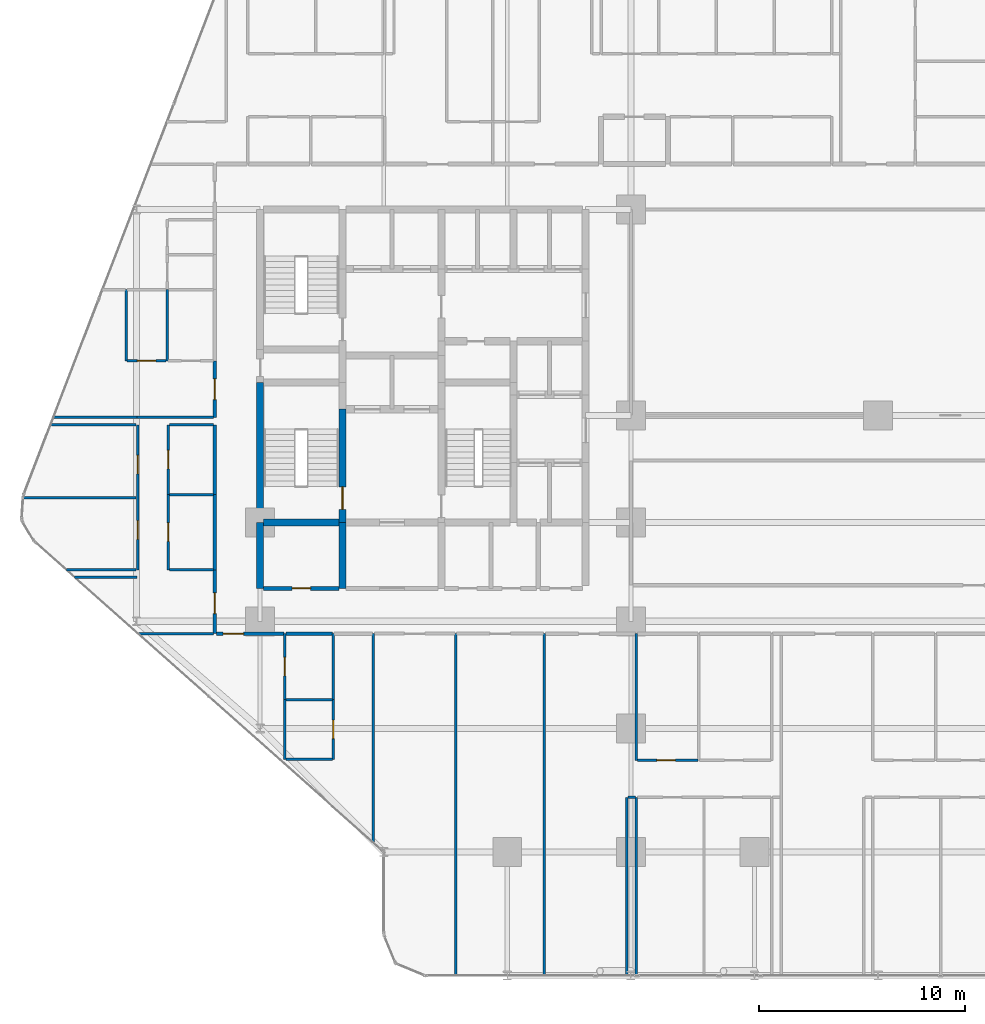
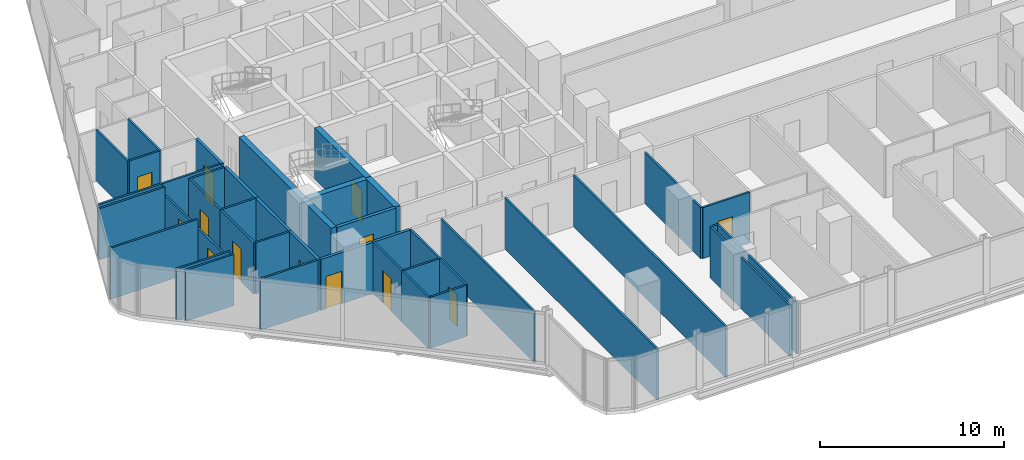
# One storey, part 26 of 33: 42 walls, 13 doors, 13 openings.
"""IFC4 building model written with IfcOpenShell, lengths in metres."""

from ifc_helpers import new_model, si_unit, direction, frame, frame_2d, origin, place, context, subcontext, project, spatial, rectangle, extrude, material, layer, layer_set, type_object, element, fill, save


model = new_model("IFC4")

# Units and contexts
model_context = context("Model", 3, precision=1e-05, world=origin(), true_north=direction((0.0, 1.0)))
body_context = subcontext(model_context, "Body", "Model", "MODEL_VIEW")
ifc_project = project(units=[si_unit("LENGTHUNIT", "METRE"), si_unit("AREAUNIT", "SQUARE_METRE"), si_unit("VOLUMEUNIT", "CUBIC_METRE"), si_unit("PLANEANGLEUNIT", "RADIAN"), si_unit("MASSUNIT", "GRAM", prefix="KILO")], contexts=[model_context])

# Site, building, storey
site_placement = place(None, origin())
site = spatial("IfcSite", under=ifc_project, at=site_placement, CompositionType="ELEMENT")
building_placement = place(site_placement, origin())
building = spatial("IfcBuilding", under=site, at=building_placement, Name="Keshet Zoharim Tower", CompositionType="ELEMENT")
storey_placement = place(building_placement, frame((0.0, 0.0, 49.89990234375)))
storey = spatial("IfcBuildingStorey", under=building, at=storey_placement, Name="L11", CompositionType="ELEMENT", Elevation=49.89990234375)

# Walls
ifc_material_1 = material(Name="Concrete C60/75", Category="concrete")
ifc_layer_1 = layer(ifc_material_1, 0.35009765625)
ifc_layer_set_1 = layer_set([ifc_layer_1], Name="Concrete C60/75")
wall_type_1 = type_object("IfcWallType", Name="WL-CORE-350", PredefinedType="SHEAR", material=ifc_layer_set_1)
wall_1_placement = place(storey_placement, frame((15.0, 19.5, 0.0), z_axis=(0.0, 0.0, 1.0), x_axis=(0.0, 1.0, 0.0)))
element("IfcWall", 1, at=wall_1_placement, inside=storey, type_object=wall_type_1, Name="L11 Core Shear Wall 019", PredefinedType="SHEAR", context=body_context, shape_type="SweptSolid", body=[
    extrude(rectangle(XDim=3.199951171875, YDim=0.35009765625, at=frame_2d((1.60009765625, 0.0))), origin(), (0.0, 0.0, 1.0), 3.385009765625),
])
wall_2_placement = place(storey_placement, frame((15.0, 22.699951171875, 0.0), z_axis=(0.0, 0.0, 1.0), x_axis=(0.0, 1.0, 0.0)))
element("IfcWall", 2, at=wall_2_placement, inside=storey, type_object=wall_type_1, Name="L11 Core Shear Wall 020", PredefinedType="SHEAR", context=body_context, shape_type="SweptSolid", body=[
    extrude(rectangle(XDim=6.800048828125, YDim=0.35009765625, at=frame_2d((3.39990234375, 0.0))), origin(), (0.0, 0.0, 1.0), 3.385009765625),
])
wall_3_placement = place(storey_placement, frame((19.0, 19.5, 0.0), z_axis=(0.0, 0.0, 1.0), x_axis=(0.0, 1.0, 0.0)))
element("IfcWall", 3, at=wall_3_placement, inside=storey, type_object=wall_type_1, Name="L11 Core Shear Wall 029", PredefinedType="SHEAR", context=body_context, shape_type="SweptSolid", body=[
    extrude(rectangle(XDim=3.199951171875, YDim=0.35009765625, at=frame_2d((1.60009765625, 0.0))), origin(), (0.0, 0.0, 1.0), 3.385009765625),
])

# Wall, opening, door
wall_4_placement = place(storey_placement, frame((19.0, 22.699951171875, 0.0), z_axis=(0.0, 0.0, 1.0), x_axis=(0.0, 1.0, 0.0)))
wall_4 = element("IfcWall", 4, at=wall_4_placement, inside=storey, type_object=wall_type_1, Name="L11 Core Shear Wall 030", PredefinedType="SHEAR", context=body_context, shape_type="SweptSolid", body=[
    extrude(rectangle(XDim=5.5, YDim=0.35009765625, at=frame_2d((2.75, 0.0))), origin(), (0.0, 0.0, 1.0), 3.385009765625),
])
opening_1_placement = place(wall_4_placement, frame((0.631103515625, 0.0, 0.0)))
opening_1 = element("IfcOpeningElement", 5, at=opening_1_placement, cuts=wall_4, Name="Opening D-F611", PredefinedType="OPENING", context=body_context, shape_type="SweptSolid", body=[
    extrude(rectangle(XDim=1.10009765625, YDim=2.14990234375, at=frame_2d((0.550048828125, 1.074951171875))), frame((0.0, 0.18505859375, 0.0), z_axis=(0.0, -1.0, 0.0), x_axis=(1.0, 0.0, 0.0)), (0.0, 0.0, 1.0), 0.3701171875),
])
ifc_material_2 = material(Name="Hardwood Timber", Category="wood")
door_type_1 = type_object("IfcDoorType", Name="DR-FD60-110", OperationType="NOTDEFINED", PredefinedType="DOOR", material=ifc_material_2)
door_1_placement = place(opening_1_placement, origin())
door_1 = element("IfcDoor", 6, at=door_1_placement, inside=storey, type_object=door_type_1, Name="L11 Exit Stair ST-01 Fire Door", OperationType="SINGLE_SWING_LEFT", OverallHeight=2.14990234375, OverallWidth=1.10009765625, PredefinedType="DOOR", context=body_context, shape_type="SweptSolid", body=[
    extrude(rectangle(XDim=1.10009765625, YDim=2.14990234375, at=frame_2d((0.550048828125, 1.074951171875))), frame((0.0, 0.02490234375, 0.0), z_axis=(0.0, -1.0, 0.0), x_axis=(1.0, 0.0, 0.0)), (0.0, 0.0, 1.0), 0.050048828125),
])
fill(opening_1, door_1)

# Wall
wall_5_placement = place(storey_placement, frame((15.159912109375, 22.699951171875, 0.0), z_axis=(0.0, 0.0, 1.0), x_axis=(1.0, 0.0, 0.0)))
element("IfcWall", 7, at=wall_5_placement, inside=storey, type_object=wall_type_1, Name="L11 Core Shear Wall 162", PredefinedType="SHEAR", context=body_context, shape_type="SweptSolid", body=[
    extrude(rectangle(XDim=3.68017578125, YDim=0.35009765625, at=frame_2d((1.840087890625, 0.0))), origin(), (0.0, 0.0, 1.0), 3.385009765625),
])

# Wall, opening, door
ifc_material_3 = material(Name="Gypsum Plasterboard", Category="gypsum")
ifc_layer_2 = layer(ifc_material_3, 0.179931640625)
ifc_layer_set_2 = layer_set([ifc_layer_2], Name="Gypsum Plasterboard")
wall_type_2 = type_object("IfcWallType", Name="WL-CORR-180", PredefinedType="STANDARD", material=ifc_layer_set_2)
wall_6_placement = place(storey_placement, frame((12.800048828125, 17.300048828125, 0.0), z_axis=(0.0, 0.0, 1.0), x_axis=(0.0, 1.0, 0.0)))
wall_6 = element("IfcWall", 8, at=wall_6_placement, inside=storey, type_object=wall_type_2, Name="L11 Interior Wall 008", PredefinedType="STANDARD", context=body_context, shape_type="SweptSolid", body=[
    extrude(rectangle(XDim=3.099853515625, YDim=0.179931640625, at=frame_2d((1.5498046875, 0.0))), origin(), (0.0, 0.0, 1.0), 3.385009765625),
])
opening_2_placement = place(wall_6_placement, frame((0.97802734375, 0.0, 0.0)))
opening_2 = element("IfcOpeningElement", 9, at=opening_2_placement, cuts=wall_6, Name="Opening D-F310", PredefinedType="OPENING", context=body_context, shape_type="SweptSolid", body=[
    extrude(rectangle(XDim=1.0, YDim=2.14990234375, at=frame_2d((0.5, 1.074951171875))), frame((0.0, 0.10009765625, 0.0), z_axis=(0.0, -1.0, 0.0), x_axis=(1.0, 0.0, 0.0)), (0.0, 0.0, 1.0), 0.199951171875),
])
door_type_2 = type_object("IfcDoorType", Name="DR-FD30-100", OperationType="NOTDEFINED", PredefinedType="DOOR", material=ifc_material_2)
door_2_placement = place(opening_2_placement, origin())
door_2 = element("IfcDoor", 10, at=door_2_placement, inside=storey, type_object=door_type_2, Name="Apartment 1110 Entrance Door", OperationType="SINGLE_SWING_LEFT", OverallHeight=2.14990234375, OverallWidth=1.0, PredefinedType="DOOR", context=body_context, shape_type="SweptSolid", body=[
    extrude(rectangle(XDim=1.0, YDim=2.14990234375, at=frame_2d((0.5, 1.074951171875))), frame((0.0, 0.02490234375, 0.0), z_axis=(0.0, -1.0, 0.0), x_axis=(1.0, 0.0, 0.0)), (0.0, 0.0, 1.0), 0.050048828125),
])
fill(opening_2, door_2)

# Walls
wall_7_placement = place(storey_placement, frame((12.800048828125, 20.39990234375, 0.0), z_axis=(0.0, 0.0, 1.0), x_axis=(0.0, 1.0, 0.0)))
element("IfcWall", 11, at=wall_7_placement, inside=storey, type_object=wall_type_2, Name="L11 Interior Wall 009", PredefinedType="STANDARD", context=body_context, shape_type="SweptSolid", body=[
    extrude(rectangle(XDim=3.6611328125, YDim=0.179931640625, at=frame_2d((1.83056640625, 0.0))), origin(), (0.0, 0.0, 1.0), 3.385009765625),
])
wall_8_placement = place(storey_placement, frame((12.800048828125, 24.06103515625, 0.0), z_axis=(0.0, 0.0, 1.0), x_axis=(0.0, 1.0, 0.0)))
element("IfcWall", 12, at=wall_8_placement, inside=storey, type_object=wall_type_2, Name="L11 Interior Wall 010", PredefinedType="STANDARD", context=body_context, shape_type="SweptSolid", body=[
    extrude(rectangle(XDim=3.37890625, YDim=0.179931640625, at=frame_2d((1.689453125, 0.0))), origin(), (0.0, 0.0, 1.0), 3.385009765625),
])

# Wall, opening, door
wall_9_placement = place(storey_placement, frame((12.800048828125, 27.7900390625, 0.0), z_axis=(0.0, 0.0, 1.0), x_axis=(0.0, 1.0, 0.0)))
wall_9 = element("IfcWall", 13, at=wall_9_placement, inside=storey, type_object=wall_type_2, Name="L11 Interior Wall 011", PredefinedType="STANDARD", context=body_context, shape_type="SweptSolid", body=[
    extrude(rectangle(XDim=2.75, YDim=0.179931640625, at=frame_2d((1.375, 0.0))), origin(), (0.0, 0.0, 1.0), 3.385009765625),
])
opening_3_placement = place(wall_9_placement, frame((0.875, 0.0, 0.0)))
opening_3 = element("IfcOpeningElement", 14, at=opening_3_placement, cuts=wall_9, Name="Opening D-F310", PredefinedType="OPENING", context=body_context, shape_type="SweptSolid", body=[
    extrude(rectangle(XDim=1.0, YDim=2.14990234375, at=frame_2d((0.5, 1.074951171875))), frame((0.0, 0.10009765625, 0.0), z_axis=(0.0, -1.0, 0.0), x_axis=(1.0, 0.0, 0.0)), (0.0, 0.0, 1.0), 0.199951171875),
])
door_3_placement = place(opening_3_placement, origin())
door_3 = element("IfcDoor", 15, at=door_3_placement, inside=storey, type_object=door_type_2, Name="Apartment 1111 Entrance Door", OperationType="SINGLE_SWING_RIGHT", OverallHeight=2.14990234375, OverallWidth=1.0, PredefinedType="DOOR", context=body_context, shape_type="SweptSolid", body=[
    extrude(rectangle(XDim=1.0, YDim=2.14990234375, at=frame_2d((0.5, 1.074951171875))), frame((0.0, 0.02490234375, 0.0), z_axis=(0.0, -1.0, 0.0), x_axis=(1.0, 0.0, 0.0)), (0.0, 0.0, 1.0), 0.050048828125),
])
fill(opening_3, door_3)

wall_10_placement = place(storey_placement, frame((12.875, 17.300048828125, 0.0), z_axis=(0.0, 0.0, 1.0), x_axis=(1.0, 0.0, 0.0)))
wall_10 = element("IfcWall", 16, at=wall_10_placement, inside=storey, type_object=wall_type_2, Name="L11 Interior Wall 138", PredefinedType="STANDARD", context=body_context, shape_type="SweptSolid", body=[
    extrude(rectangle(XDim=3.280029296875, YDim=0.179931640625, at=frame_2d((1.64013671875, 0.0))), origin(), (0.0, 0.0, 1.0), 3.385009765625),
])
opening_4_placement = place(wall_10_placement, frame((0.325927734375, 0.0, 0.0)))
opening_4 = element("IfcOpeningElement", 17, at=opening_4_placement, cuts=wall_10, Name="Opening D-F310", PredefinedType="OPENING", context=body_context, shape_type="SweptSolid", body=[
    extrude(rectangle(XDim=1.0, YDim=2.14990234375, at=frame_2d((0.5, 1.074951171875))), frame((0.0, 0.10009765625, 0.0), z_axis=(0.0, -1.0, 0.0), x_axis=(1.0, 0.0, 0.0)), (0.0, 0.0, 1.0), 0.199951171875),
])
door_4_placement = place(opening_4_placement, origin())
door_4 = element("IfcDoor", 18, at=door_4_placement, inside=storey, type_object=door_type_2, Name="Apartment 1101 Entrance Door", OperationType="SINGLE_SWING_LEFT", OverallHeight=2.14990234375, OverallWidth=1.0, PredefinedType="DOOR", context=body_context, shape_type="SweptSolid", body=[
    extrude(rectangle(XDim=1.0, YDim=2.14990234375, at=frame_2d((0.5, 1.074951171875))), frame((0.0, 0.02490234375, 0.0), z_axis=(0.0, -1.0, 0.0), x_axis=(1.0, 0.0, 0.0)), (0.0, 0.0, 1.0), 0.050048828125),
])
fill(opening_4, door_4)

# Wall
wall_11_placement = place(storey_placement, frame((16.2451171875, 17.300048828125, 0.0), z_axis=(0.0, 0.0, 1.0), x_axis=(1.0, 0.0, 0.0)))
element("IfcWall", 19, at=wall_11_placement, inside=storey, type_object=wall_type_2, Name="L11 Interior Wall 139", PredefinedType="STANDARD", context=body_context, shape_type="SweptSolid", body=[
    extrude(rectangle(XDim=2.259765625, YDim=0.179931640625, at=frame_2d((1.1298828125, 0.0))), origin(), (0.0, 0.0, 1.0), 3.385009765625),
])

# Wall, opening, door
ifc_material_4 = material(Name="Concrete C50/60", Category="concrete")
ifc_layer_3 = layer(ifc_material_4, 0.199951171875)
ifc_layer_set_3 = layer_set([ifc_layer_3], Name="Concrete C50/60")
wall_type_3 = type_object("IfcWallType", Name="WL-FIRE-200", PredefinedType="STANDARD", material=ifc_layer_set_3)
wall_12_placement = place(storey_placement, frame((15.159912109375, 19.5, 0.0), z_axis=(0.0, 0.0, 1.0), x_axis=(1.0, 0.0, 0.0)))
wall_12 = element("IfcWall", 20, at=wall_12_placement, inside=storey, type_object=wall_type_3, Name="L11 Interior Wall 154", PredefinedType="STANDARD", context=body_context, shape_type="SweptSolid", body=[
    extrude(rectangle(XDim=3.68017578125, YDim=0.199951171875, at=frame_2d((1.840087890625, 0.0))), origin(), (0.0, 0.0, 1.0), 3.385009765625),
])
opening_5_placement = place(wall_12_placement, frame((1.389892578125, 0.0, 0.0)))
opening_5 = element("IfcOpeningElement", 21, at=opening_5_placement, cuts=wall_12, Name="Opening D-F690", PredefinedType="OPENING", context=body_context, shape_type="SweptSolid", body=[
    extrude(rectangle(XDim=0.89990234375, YDim=2.14990234375, at=frame_2d((0.449951171875, 1.074951171875))), frame((0.0, 0.10986328125, 0.0), z_axis=(0.0, -1.0, 0.0), x_axis=(1.0, 0.0, 0.0)), (0.0, 0.0, 1.0), 0.219970703125),
])
door_type_3 = type_object("IfcDoorType", Name="DR-FD60-090", OperationType="NOTDEFINED", PredefinedType="DOOR", material=ifc_material_2)
door_5_placement = place(opening_5_placement, origin())
door_5 = element("IfcDoor", 22, at=door_5_placement, inside=storey, type_object=door_type_3, Name="L11 Pram Store Door", OperationType="SINGLE_SWING_RIGHT", OverallHeight=2.14990234375, OverallWidth=0.89990234375, PredefinedType="DOOR", context=body_context, shape_type="SweptSolid", body=[
    extrude(rectangle(XDim=0.89990234375, YDim=2.14990234375, at=frame_2d((0.449951171875, 1.074951171875))), frame((0.0, 0.02490234375, 0.0), z_axis=(0.0, -1.0, 0.0), x_axis=(1.0, 0.0, 0.0)), (0.0, 0.0, 1.0), 0.050048828125),
])
fill(opening_5, door_5)

# Wall
ifc_layer_4 = layer(ifc_material_3, 0.1201171875)
ifc_layer_set_4 = layer_set([ifc_layer_4], Name="Gypsum Plasterboard")
wall_type_4 = type_object("IfcWallType", Name="WL-PART-120", PredefinedType="PARTITIONING", material=ifc_layer_set_4)
wall_13_placement = place(storey_placement, frame((8.5, 30.5400390625, 0.0), z_axis=(0.0, 0.0, 1.0), x_axis=(0.0, 1.0, 0.0)))
element("IfcWall", 23, at=wall_13_placement, inside=storey, type_object=wall_type_4, Name="L11 Interior Wall 001", PredefinedType="PARTITIONING", context=body_context, shape_type="SweptSolid", body=[
    extrude(rectangle(XDim=3.4599609375, YDim=0.1201171875, at=frame_2d((1.72998046875, 0.0))), origin(), (0.0, 0.0, 1.0), 3.385009765625),
])

# Wall, openings, doors
wall_14_placement = place(storey_placement, frame((9.050048828125, 20.39990234375, 0.0), z_axis=(0.0, 0.0, 1.0), x_axis=(0.0, 1.0, 0.0)))
wall_14 = element("IfcWall", 24, at=wall_14_placement, inside=storey, type_object=wall_type_4, Name="L11 Interior Wall 002", PredefinedType="PARTITIONING", context=body_context, shape_type="SweptSolid", body=[
    extrude(rectangle(XDim=7.0400390625, YDim=0.1201171875, at=frame_2d((3.52001953125, 0.0))), origin(), (0.0, 0.0, 1.0), 2.78515625),
])
opening_6_placement = place(wall_14_placement, frame((1.485107421875, 0.0, 0.0)))
opening_6 = element("IfcOpeningElement", 25, at=opening_6_placement, cuts=wall_14, Name="Opening D-IN90", PredefinedType="OPENING", context=body_context, shape_type="SweptSolid", body=[
    extrude(rectangle(XDim=0.89990234375, YDim=2.14990234375, at=frame_2d((0.449951171875, 1.074951171875))), frame((0.0, 0.070068359375, 0.0), z_axis=(0.0, -1.0, 0.0), x_axis=(1.0, 0.0, 0.0)), (0.0, 0.0, 1.0), 0.14013671875),
])
opening_7_placement = place(wall_14_placement, frame((4.655029296875, 0.0, 0.0)))
opening_7 = element("IfcOpeningElement", 26, at=opening_7_placement, cuts=wall_14, Name="Opening D-IN90", PredefinedType="OPENING", context=body_context, shape_type="SweptSolid", body=[
    extrude(rectangle(XDim=0.89990234375, YDim=2.14990234375, at=frame_2d((0.449951171875, 1.074951171875))), frame((0.0, 0.070068359375, 0.0), z_axis=(0.0, -1.0, 0.0), x_axis=(1.0, 0.0, 0.0)), (0.0, 0.0, 1.0), 0.14013671875),
])
door_type_4 = type_object("IfcDoorType", Name="DR-INT-090", OperationType="NOTDEFINED", PredefinedType="DOOR", material=ifc_material_2)
door_6_placement = place(opening_6_placement, origin())
door_6 = element("IfcDoor", 27, at=door_6_placement, inside=storey, type_object=door_type_4, Name="Apartment 1110 Bedroom 1 Door", OperationType="SINGLE_SWING_LEFT", OverallHeight=2.14990234375, OverallWidth=0.89990234375, PredefinedType="DOOR", context=body_context, shape_type="SweptSolid", body=[
    extrude(rectangle(XDim=0.89990234375, YDim=2.14990234375, at=frame_2d((0.449951171875, 1.074951171875))), frame((0.0, 0.02490234375, 0.0), z_axis=(0.0, -1.0, 0.0), x_axis=(1.0, 0.0, 0.0)), (0.0, 0.0, 1.0), 0.050048828125),
])
fill(opening_6, door_6)
door_7_placement = place(opening_7_placement, origin())
door_7 = element("IfcDoor", 28, at=door_7_placement, inside=storey, type_object=door_type_4, Name="Apartment 1110 Bedroom 2 Door", OperationType="SINGLE_SWING_RIGHT", OverallHeight=2.14990234375, OverallWidth=0.89990234375, PredefinedType="DOOR", context=body_context, shape_type="SweptSolid", body=[
    extrude(rectangle(XDim=0.89990234375, YDim=2.14990234375, at=frame_2d((0.449951171875, 1.074951171875))), frame((0.0, 0.02490234375, 0.0), z_axis=(0.0, -1.0, 0.0), x_axis=(1.0, 0.0, 0.0)), (0.0, 0.0, 1.0), 0.050048828125),
])
fill(opening_7, door_7)

# Wall, opening, door
wall_15_placement = place(storey_placement, frame((10.550048828125, 20.39990234375, 0.0), z_axis=(0.0, 0.0, 1.0), x_axis=(0.0, 1.0, 0.0)))
wall_15 = element("IfcWall", 29, at=wall_15_placement, inside=storey, type_object=wall_type_4, Name="L11 Interior Wall 006", PredefinedType="PARTITIONING", context=body_context, shape_type="SweptSolid", body=[
    extrude(rectangle(XDim=3.6611328125, YDim=0.1201171875, at=frame_2d((1.83056640625, 0.0))), origin(), (0.0, 0.0, 1.0), 3.385009765625),
])
opening_8_placement = place(wall_15_placement, frame((1.3798828125, 0.0, 0.0)))
opening_8 = element("IfcOpeningElement", 30, at=opening_8_placement, cuts=wall_15, Name="Opening D-IN90", PredefinedType="OPENING", context=body_context, shape_type="SweptSolid", body=[
    extrude(rectangle(XDim=0.89990234375, YDim=2.14990234375, at=frame_2d((0.449951171875, 1.074951171875))), frame((0.0, 0.070068359375, 0.0), z_axis=(0.0, -1.0, 0.0), x_axis=(1.0, 0.0, 0.0)), (0.0, 0.0, 1.0), 0.14013671875),
])
door_8_placement = place(opening_8_placement, origin())
door_8 = element("IfcDoor", 31, at=door_8_placement, inside=storey, type_object=door_type_4, Name="Apartment 1110 Kitchen Door", OperationType="SINGLE_SWING_LEFT", OverallHeight=2.14990234375, OverallWidth=0.89990234375, PredefinedType="DOOR", context=body_context, shape_type="SweptSolid", body=[
    extrude(rectangle(XDim=0.89990234375, YDim=2.14990234375, at=frame_2d((0.449951171875, 1.074951171875))), frame((0.0, 0.02490234375, 0.0), z_axis=(0.0, -1.0, 0.0), x_axis=(1.0, 0.0, 0.0)), (0.0, 0.0, 1.0), 0.050048828125),
])
fill(opening_8, door_8)

wall_16_placement = place(storey_placement, frame((16.199951171875, 14.10009765625, 0.0), z_axis=(0.0, 0.0, 1.0), x_axis=(0.0, 1.0, 0.0)))
wall_16 = element("IfcWall", 32, at=wall_16_placement, inside=storey, type_object=wall_type_4, Name="L11 Interior Wall 024", PredefinedType="PARTITIONING", context=body_context, shape_type="SweptSolid", body=[
    extrude(rectangle(XDim=3.199951171875, YDim=0.1201171875, at=frame_2d((1.60009765625, 0.0))), origin(), (0.0, 0.0, 1.0), 3.385009765625),
])
opening_9_placement = place(wall_16_placement, frame((1.14990234375, 0.0, 0.0)))
opening_9 = element("IfcOpeningElement", 33, at=opening_9_placement, cuts=wall_16, Name="Opening D-IN90", PredefinedType="OPENING", context=body_context, shape_type="SweptSolid", body=[
    extrude(rectangle(XDim=0.89990234375, YDim=2.14990234375, at=frame_2d((0.449951171875, 1.074951171875))), frame((0.0, 0.070068359375, 0.0), z_axis=(0.0, -1.0, 0.0), x_axis=(1.0, 0.0, 0.0)), (0.0, 0.0, 1.0), 0.14013671875),
])
door_9_placement = place(opening_9_placement, origin())
door_9 = element("IfcDoor", 34, at=door_9_placement, inside=storey, type_object=door_type_4, Name="Apartment 1101 Kitchenette Door", OperationType="SINGLE_SWING_LEFT", OverallHeight=2.14990234375, OverallWidth=0.89990234375, PredefinedType="DOOR", context=body_context, shape_type="SweptSolid", body=[
    extrude(rectangle(XDim=0.89990234375, YDim=2.14990234375, at=frame_2d((0.449951171875, 1.074951171875))), frame((0.0, 0.02490234375, 0.0), z_axis=(0.0, -1.0, 0.0), x_axis=(1.0, 0.0, 0.0)), (0.0, 0.0, 1.0), 0.050048828125),
])
fill(opening_9, door_9)

# Walls
wall_17_placement = place(storey_placement, frame((18.550048828125, 14.10009765625, 0.0), z_axis=(0.0, 0.0, 1.0), x_axis=(0.0, 1.0, 0.0)))
element("IfcWall", 35, at=wall_17_placement, inside=storey, type_object=wall_type_4, Name="L11 Interior Wall 028", PredefinedType="PARTITIONING", context=body_context, shape_type="SweptSolid", body=[
    extrude(rectangle(XDim=3.199951171875, YDim=0.1201171875, at=frame_2d((1.60009765625, 0.0))), origin(), (0.0, 0.0, 1.0), 3.385009765625),
])
wall_18_placement = place(storey_placement, frame((20.5, 7.154052734375, 0.0), z_axis=(0.0, 0.0, 1.0), x_axis=(0.0, 1.0, 0.0)))
element("IfcWall", 36, at=wall_18_placement, inside=storey, type_object=wall_type_4, Name="L11 Interior Wall 034", PredefinedType="PARTITIONING", context=body_context, shape_type="SweptSolid", body=[
    extrude(rectangle(XDim=10.14599609375, YDim=0.1201171875, at=frame_2d((5.072998046875, 0.0))), origin(), (0.0, 0.0, 1.0), 3.385009765625),
])
for number, where, z_axis, x_axis, name in (
    (37, (24.5, 0.7099609375, 0.0), (0.0, 0.0, 1.0), (0.0, 1.0, 0.0), "L11 Interior Wall 048"),
    (38, (28.800048828125, 0.7099609375, 0.0), (0.0, 0.0, 1.0), (0.0, 1.0, 0.0), "L11 Interior Wall 060"),
):
    element("IfcWall", number, at=place(storey_placement, frame(where, z_axis=z_axis, x_axis=x_axis)), inside=storey, type_object=wall_type_4, Name=name, PredefinedType="PARTITIONING", context=body_context, shape_type="SweptSolid", body=[
        extrude(rectangle(XDim=16.590087890625, YDim=0.1201171875, at=frame_2d((8.294921875, 0.0))), origin(), (0.0, 0.0, 1.0), 3.385009765625),
    ])
for number, where, z_axis, x_axis, name in (
    (39, (32.800048828125, 0.7099609375, 0.0), (0.0, 0.0, 1.0), (0.0, 1.0, 0.0), "L11 Interior Wall 073"),
    (40, (33.25, 0.7099609375, 0.0), (0.0, 0.0, 1.0), (0.0, 1.0, 0.0), "L11 Interior Wall 076"),
):
    element("IfcWall", number, at=place(storey_placement, frame(where, z_axis=z_axis, x_axis=x_axis)), inside=storey, type_object=wall_type_4, Name=name, PredefinedType="PARTITIONING", context=body_context, shape_type="SweptSolid", body=[
        extrude(rectangle(XDim=8.64013671875, YDim=0.1201171875, at=frame_2d((4.320068359375, 0.0))), origin(), (0.0, 0.0, 1.0), 3.385009765625),
    ])
wall_19_placement = place(storey_placement, frame((33.25, 11.14990234375, 0.0), z_axis=(0.0, 0.0, 1.0), x_axis=(0.0, 1.0, 0.0)))
element("IfcWall", 41, at=wall_19_placement, inside=storey, type_object=wall_type_4, Name="L11 Interior Wall 077", PredefinedType="PARTITIONING", context=body_context, shape_type="SweptSolid", body=[
    extrude(rectangle(XDim=6.150146484375, YDim=0.1201171875, at=frame_2d((3.0751953125, 0.0))), origin(), (0.0, 0.0, 1.0), 3.385009765625),
])
wall_20_placement = place(storey_placement, frame((32.864990234375, 9.35009765625, 0.0), z_axis=(0.0, 0.0, 1.0), x_axis=(1.0, 0.0, 0.0)))
element("IfcWall", 42, at=wall_20_placement, inside=storey, type_object=wall_type_4, Name="L11 Interior Wall 121", PredefinedType="PARTITIONING", context=body_context, shape_type="SweptSolid", body=[
    extrude(rectangle(XDim=0.360107421875, YDim=0.1201171875, at=frame_2d((0.18017578125, 0.0))), origin(), (0.0, 0.0, 1.0), 3.385009765625),
])

# Wall, opening, door
wall_21_placement = place(storey_placement, frame((33.31494140625, 11.14990234375, 0.0), z_axis=(0.0, 0.0, 1.0), x_axis=(1.0, 0.0, 0.0)))
wall_21 = element("IfcWall", 43, at=wall_21_placement, inside=storey, type_object=wall_type_4, Name="L11 Interior Wall 127", PredefinedType="PARTITIONING", context=body_context, shape_type="SweptSolid", body=[
    extrude(rectangle(XDim=2.93212890625, YDim=0.1201171875, at=frame_2d((1.466064453125, 0.0))), origin(), (0.0, 0.0, 1.0), 3.385009765625),
])
opening_10_placement = place(wall_21_placement, frame((0.943115234375, 0.0, 0.0)))
opening_10 = element("IfcOpeningElement", 44, at=opening_10_placement, cuts=wall_21, Name="Opening D-IN90", PredefinedType="OPENING", context=body_context, shape_type="SweptSolid", body=[
    extrude(rectangle(XDim=0.89990234375, YDim=2.14990234375, at=frame_2d((0.449951171875, 1.074951171875))), frame((0.0, 0.070068359375, 0.0), z_axis=(0.0, -1.0, 0.0), x_axis=(1.0, 0.0, 0.0)), (0.0, 0.0, 1.0), 0.14013671875),
])
door_10_placement = place(opening_10_placement, origin())
door_10 = element("IfcDoor", 45, at=door_10_placement, inside=storey, type_object=door_type_4, Name="Apartment 1102 Kitchen Door", OperationType="SINGLE_SWING_LEFT", OverallHeight=2.14990234375, OverallWidth=0.89990234375, PredefinedType="DOOR", context=body_context, shape_type="SweptSolid", body=[
    extrude(rectangle(XDim=0.89990234375, YDim=2.14990234375, at=frame_2d((0.449951171875, 1.074951171875))), frame((0.0, 0.02490234375, 0.0), z_axis=(0.0, -1.0, 0.0), x_axis=(1.0, 0.0, 0.0)), (0.0, 0.0, 1.0), 0.050048828125),
])
fill(opening_10, door_10)

# Walls
wall_22_placement = place(storey_placement, frame((9.0849609375, 17.300048828125, 0.0), z_axis=(0.0, 0.0, 1.0), x_axis=(1.0, 0.0, 0.0)))
element("IfcWall", 46, at=wall_22_placement, inside=storey, type_object=wall_type_4, Name="L11 Interior Wall 137", PredefinedType="PARTITIONING", context=body_context, shape_type="SweptSolid", body=[
    extrude(rectangle(XDim=3.64013671875, YDim=0.1201171875, at=frame_2d((1.820068359375, 0.0))), origin(), (0.0, 0.0, 1.0), 3.385009765625),
])
wall_23_placement = place(storey_placement, frame((5.990966796875, 20.050048828125, 0.0), z_axis=(0.0, 0.0, 1.0), x_axis=(1.0, 0.0, 0.0)))
element("IfcWall", 47, at=wall_23_placement, inside=storey, type_object=wall_type_4, Name="L11 Interior Wall 159", PredefinedType="PARTITIONING", context=body_context, shape_type="SweptSolid", body=[
    extrude(rectangle(XDim=3.0390625, YDim=0.1201171875, at=frame_2d((1.51953125, 0.0))), origin(), (0.0, 0.0, 1.0), 3.385009765625),
])
wall_24_placement = place(storey_placement, frame((5.597900390625, 20.39990234375, 0.0), z_axis=(0.0, 0.0, 1.0), x_axis=(1.0, 0.0, 0.0)))
element("IfcWall", 48, at=wall_24_placement, inside=storey, type_object=wall_type_4, Name="L11 Interior Wall 160", PredefinedType="PARTITIONING", context=body_context, shape_type="SweptSolid", body=[
    extrude(rectangle(XDim=3.38720703125, YDim=0.1201171875, at=frame_2d((1.693603515625, 0.0))), origin(), (0.0, 0.0, 1.0), 3.385009765625),
])
wall_25_placement = place(storey_placement, frame((10.594970703125, 20.39990234375, 0.0), z_axis=(0.0, 0.0, 1.0), x_axis=(1.0, 0.0, 0.0)))
element("IfcWall", 49, at=wall_25_placement, inside=storey, type_object=wall_type_4, Name="L11 Interior Wall 161", PredefinedType="PARTITIONING", context=body_context, shape_type="SweptSolid", body=[
    extrude(rectangle(XDim=2.130126953125, YDim=0.1201171875, at=frame_2d((1.06494140625, 0.0))), origin(), (0.0, 0.0, 1.0), 3.385009765625),
])
wall_26_placement = place(storey_placement, frame((3.5009765625, 23.89990234375, 0.0), z_axis=(0.0, 0.0, 1.0), x_axis=(1.0, 0.0, 0.0)))
element("IfcWall", 50, at=wall_26_placement, inside=storey, type_object=wall_type_4, Name="L11 Interior Wall 167", PredefinedType="PARTITIONING", context=body_context, shape_type="SweptSolid", body=[
    extrude(rectangle(XDim=5.484130859375, YDim=0.1201171875, at=frame_2d((2.7421875, 0.0))), origin(), (0.0, 0.0, 1.0), 3.385009765625),
])
wall_27_placement = place(storey_placement, frame((4.8369140625, 27.449951171875, 0.0), z_axis=(0.0, 0.0, 1.0), x_axis=(1.0, 0.0, 0.0)))
element("IfcWall", 51, at=wall_27_placement, inside=storey, type_object=wall_type_4, Name="L11 Interior Wall 171", PredefinedType="PARTITIONING", context=body_context, shape_type="SweptSolid", body=[
    extrude(rectangle(XDim=4.148193359375, YDim=0.1201171875, at=frame_2d((2.07421875, 0.0))), origin(), (0.0, 0.0, 1.0), 3.385009765625),
])
wall_28_placement = place(storey_placement, frame((4.970947265625, 27.800048828125, 0.0), z_axis=(0.0, 0.0, 1.0), x_axis=(1.0, 0.0, 0.0)))
element("IfcWall", 52, at=wall_28_placement, inside=storey, type_object=wall_type_4, Name="L11 Interior Wall 173", PredefinedType="PARTITIONING", context=body_context, shape_type="SweptSolid", body=[
    extrude(rectangle(XDim=4.05908203125, YDim=0.1201171875, at=frame_2d((2.029541015625, 0.0))), origin(), (0.0, 0.0, 1.0), 3.385009765625),
])
wall_29_placement = place(storey_placement, frame((9.030029296875, 27.800048828125, 0.0), z_axis=(0.0, 0.0, 1.0), x_axis=(1.0, 0.0, 0.0)))
element("IfcWall", 53, at=wall_29_placement, inside=storey, type_object=wall_type_4, Name="L11 Interior Wall 174", PredefinedType="PARTITIONING", context=body_context, shape_type="SweptSolid", body=[
    extrude(rectangle(XDim=3.695068359375, YDim=0.1201171875, at=frame_2d((1.84765625, 0.0))), origin(), (0.0, 0.0, 1.0), 3.385009765625),
])

# Wall, opening, door
wall_30_placement = place(storey_placement, frame((8.544921875, 30.550048828125, 0.0), z_axis=(0.0, 0.0, 1.0), x_axis=(1.0, 0.0, 0.0)))
wall_30 = element("IfcWall", 54, at=wall_30_placement, inside=storey, type_object=wall_type_4, Name="L11 Interior Wall 180", PredefinedType="PARTITIONING", context=body_context, shape_type="SweptSolid", body=[
    extrude(rectangle(XDim=1.88818359375, YDim=0.1201171875, at=frame_2d((0.944091796875, 0.0))), origin(), (0.0, 0.0, 1.0), 3.385009765625),
])
opening_11_placement = place(wall_30_placement, frame((0.493896484375, 0.0, 0.0)))
opening_11 = element("IfcOpeningElement", 55, at=opening_11_placement, cuts=wall_30, Name="Opening D-IN90", PredefinedType="OPENING", context=body_context, shape_type="SweptSolid", body=[
    extrude(rectangle(XDim=0.89990234375, YDim=2.14990234375, at=frame_2d((0.449951171875, 1.074951171875))), frame((0.0, 0.070068359375, 0.0), z_axis=(0.0, -1.0, 0.0), x_axis=(1.0, 0.0, 0.0)), (0.0, 0.0, 1.0), 0.14013671875),
])
door_11_placement = place(opening_11_placement, origin())
door_11 = element("IfcDoor", 56, at=door_11_placement, inside=storey, type_object=door_type_4, Name="Apartment 1111 Kitchen Door", OperationType="SINGLE_SWING_RIGHT", OverallHeight=2.14990234375, OverallWidth=0.89990234375, PredefinedType="DOOR", context=body_context, shape_type="SweptSolid", body=[
    extrude(rectangle(XDim=0.89990234375, YDim=2.14990234375, at=frame_2d((0.449951171875, 1.074951171875))), frame((0.0, 0.02490234375, 0.0), z_axis=(0.0, -1.0, 0.0), x_axis=(1.0, 0.0, 0.0)), (0.0, 0.0, 1.0), 0.050048828125),
])
fill(opening_11, door_11)

# Wall
ifc_layer_5 = layer(ifc_material_3, 0.1201171875)
ifc_layer_set_5 = layer_set([ifc_layer_5], Name="Gypsum Plasterboard")
wall_type_5 = type_object("IfcWallType", Name="WL-WET-120", PredefinedType="PARTITIONING", material=ifc_layer_set_5)
wall_31_placement = place(storey_placement, frame((10.5, 30.5400390625, 0.0), z_axis=(0.0, 0.0, 1.0), x_axis=(0.0, 1.0, 0.0)))
element("IfcWall", 57, at=wall_31_placement, inside=storey, type_object=wall_type_5, Name="L11 Interior Wall 003", PredefinedType="PARTITIONING", context=body_context, shape_type="SweptSolid", body=[
    extrude(rectangle(XDim=3.4599609375, YDim=0.1201171875, at=frame_2d((1.72998046875, 0.0))), origin(), (0.0, 0.0, 1.0), 3.385009765625),
])

# Wall, opening, door
wall_32_placement = place(storey_placement, frame((10.550048828125, 24.06103515625, 0.0), z_axis=(0.0, 0.0, 1.0), x_axis=(0.0, 1.0, 0.0)))
wall_32 = element("IfcWall", 58, at=wall_32_placement, inside=storey, type_object=wall_type_5, Name="L11 Interior Wall 007", PredefinedType="PARTITIONING", context=body_context, shape_type="SweptSolid", body=[
    extrude(rectangle(XDim=3.37890625, YDim=0.1201171875, at=frame_2d((1.689453125, 0.0))), origin(), (0.0, 0.0, 1.0), 3.385009765625),
])
opening_12_placement = place(wall_32_placement, frame((1.239013671875, 0.0, 0.0)))
opening_12 = element("IfcOpeningElement", 59, at=opening_12_placement, cuts=wall_32, Name="Opening D-WT90", PredefinedType="OPENING", context=body_context, shape_type="SweptSolid", body=[
    extrude(rectangle(XDim=0.89990234375, YDim=2.10009765625, at=frame_2d((0.449951171875, 1.050048828125))), frame((0.0, 0.070068359375, 0.0), z_axis=(0.0, -1.0, 0.0), x_axis=(1.0, 0.0, 0.0)), (0.0, 0.0, 1.0), 0.14013671875),
])
door_type_5 = type_object("IfcDoorType", Name="DR-WET-090", OperationType="NOTDEFINED", PredefinedType="DOOR", material=ifc_material_2)
door_12_placement = place(opening_12_placement, origin())
door_12 = element("IfcDoor", 60, at=door_12_placement, inside=storey, type_object=door_type_5, Name="Apartment 1110 Bathroom Door", OperationType="SINGLE_SWING_RIGHT", OverallHeight=2.10009765625, OverallWidth=0.89990234375, PredefinedType="DOOR", context=body_context, shape_type="SweptSolid", body=[
    extrude(rectangle(XDim=0.89990234375, YDim=2.10009765625, at=frame_2d((0.449951171875, 1.050048828125))), frame((0.0, 0.02490234375, 0.0), z_axis=(0.0, -1.0, 0.0), x_axis=(1.0, 0.0, 0.0)), (0.0, 0.0, 1.0), 0.050048828125),
])
fill(opening_12, door_12)

# Wall
wall_33_placement = place(storey_placement, frame((16.199951171875, 11.199951171875, 0.0), z_axis=(0.0, 0.0, 1.0), x_axis=(0.0, 1.0, 0.0)))
element("IfcWall", 61, at=wall_33_placement, inside=storey, type_object=wall_type_5, Name="L11 Interior Wall 023", PredefinedType="PARTITIONING", context=body_context, shape_type="SweptSolid", body=[
    extrude(rectangle(XDim=2.900146484375, YDim=0.1201171875, at=frame_2d((1.4501953125, 0.0))), origin(), (0.0, 0.0, 1.0), 3.385009765625),
])

# Wall, opening, door
wall_34_placement = place(storey_placement, frame((18.550048828125, 11.199951171875, 0.0), z_axis=(0.0, 0.0, 1.0), x_axis=(0.0, 1.0, 0.0)))
wall_34 = element("IfcWall", 62, at=wall_34_placement, inside=storey, type_object=wall_type_5, Name="L11 Interior Wall 027", PredefinedType="PARTITIONING", context=body_context, shape_type="SweptSolid", body=[
    extrude(rectangle(XDim=2.900146484375, YDim=0.1201171875, at=frame_2d((1.4501953125, 0.0))), origin(), (0.0, 0.0, 1.0), 3.385009765625),
])
opening_13_placement = place(wall_34_placement, frame((1.0, 0.0, 0.0)))
opening_13 = element("IfcOpeningElement", 63, at=opening_13_placement, cuts=wall_34, Name="Opening D-WT90", PredefinedType="OPENING", context=body_context, shape_type="SweptSolid", body=[
    extrude(rectangle(XDim=0.89990234375, YDim=2.10009765625, at=frame_2d((0.449951171875, 1.050048828125))), frame((0.0, 0.070068359375, 0.0), z_axis=(0.0, -1.0, 0.0), x_axis=(1.0, 0.0, 0.0)), (0.0, 0.0, 1.0), 0.14013671875),
])
door_13_placement = place(opening_13_placement, origin())
door_13 = element("IfcDoor", 64, at=door_13_placement, inside=storey, type_object=door_type_5, Name="Apartment 1101 Bathroom Door", OperationType="SINGLE_SWING_RIGHT", OverallHeight=2.10009765625, OverallWidth=0.89990234375, PredefinedType="DOOR", context=body_context, shape_type="SweptSolid", body=[
    extrude(rectangle(XDim=0.89990234375, YDim=2.10009765625, at=frame_2d((0.449951171875, 1.050048828125))), frame((0.0, 0.02490234375, 0.0), z_axis=(0.0, -1.0, 0.0), x_axis=(1.0, 0.0, 0.0)), (0.0, 0.0, 1.0), 0.050048828125),
])
fill(opening_13, door_13)

# Walls
for number, where, z_axis, x_axis, name in (
    (65, (16.2451171875, 11.199951171875, 0.0), (0.0, 0.0, 1.0), (1.0, 0.0, 0.0), "L11 Interior Wall 131"),
    (66, (16.2451171875, 14.10009765625, 0.0), (0.0, 0.0, 1.0), (1.0, 0.0, 0.0), "L11 Interior Wall 134"),
):
    element("IfcWall", number, at=place(storey_placement, frame(where, z_axis=z_axis, x_axis=x_axis)), inside=storey, type_object=wall_type_5, Name=name, PredefinedType="PARTITIONING", context=body_context, shape_type="SweptSolid", body=[
        extrude(rectangle(XDim=2.259765625, YDim=0.1201171875, at=frame_2d((1.1298828125, 0.0))), origin(), (0.0, 0.0, 1.0), 3.385009765625),
    ])
for number, where, z_axis, x_axis, name in (
    (67, (10.594970703125, 24.050048828125, 0.0), (0.0, 0.0, 1.0), (1.0, 0.0, 0.0), "L11 Interior Wall 168"),
    (68, (10.594970703125, 27.449951171875, 0.0), (0.0, 0.0, 1.0), (1.0, 0.0, 0.0), "L11 Interior Wall 172"),
):
    element("IfcWall", number, at=place(storey_placement, frame(where, z_axis=z_axis, x_axis=x_axis)), inside=storey, type_object=wall_type_5, Name=name, PredefinedType="PARTITIONING", context=body_context, shape_type="SweptSolid", body=[
        extrude(rectangle(XDim=2.130126953125, YDim=0.1201171875, at=frame_2d((1.06494140625, 0.0))), origin(), (0.0, 0.0, 1.0), 3.385009765625),
    ])

save(model, "model.ifc")
